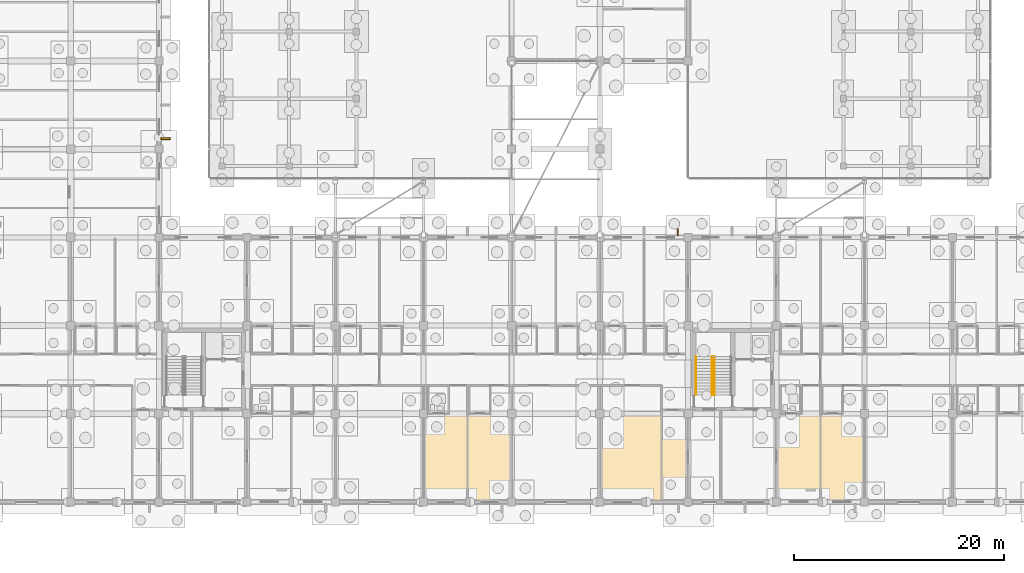
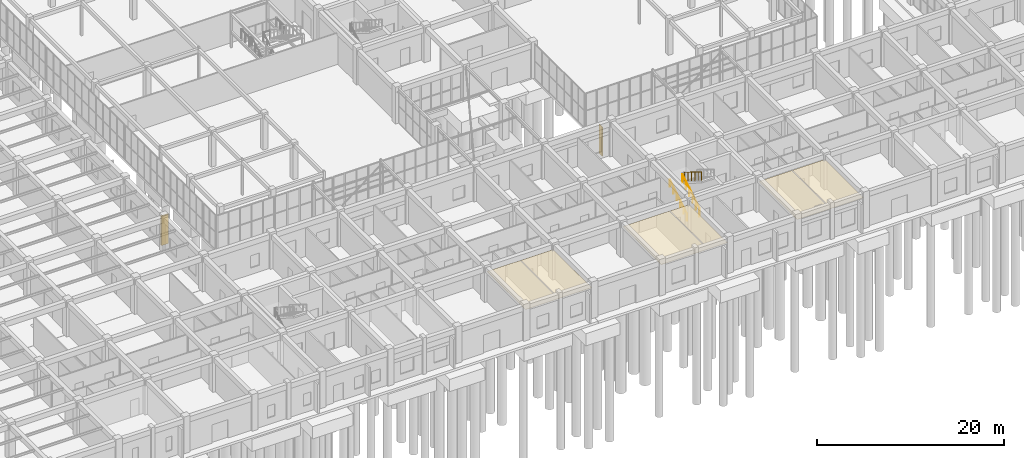
# One storey, part 180 of 192: 3 coverings, 3 railings, 2 shading devices.
"""IFC4 building model written with IfcOpenShell, lengths in metres."""

from ifc_helpers import new_model, si_unit, direction, frame, origin, origin_2d, place, context, subcontext, project, spatial, polyline, rectangle, circle, outline, extrude, material, layer, layer_set, type_object, element, save


model = new_model("IFC4")

# Units and contexts
model_context = context("Model", 3, precision=1e-05, world=origin(), true_north=direction((0.0, 1.0)))
body_context = subcontext(model_context, "Body", "Model", "MODEL_VIEW")
ifc_project = project(units=[si_unit("LENGTHUNIT", "METRE"), si_unit("AREAUNIT", "SQUARE_METRE"), si_unit("VOLUMEUNIT", "CUBIC_METRE"), si_unit("PLANEANGLEUNIT", "RADIAN"), si_unit("MASSUNIT", "GRAM", prefix="KILO")], contexts=[model_context])

# Site, building, storey
site_placement = place(None, origin())
site = spatial("IfcSite", under=ifc_project, at=site_placement, CompositionType="ELEMENT")
building_placement = place(site_placement, origin())
building = spatial("IfcBuilding", under=site, at=building_placement, Name="Trelvath General Hospital", CompositionType="ELEMENT")
storey_placement = place(building_placement, origin())
storey = spatial("IfcBuildingStorey", under=building, at=storey_placement, Name="L00", CompositionType="ELEMENT", Elevation=0.0)

# Shading device
ifc_material_1 = material(Name="Precast concrete C40/50", Category="concrete")
shading_device_type_1 = type_object("IfcShadingDeviceType", Name="BriseSoleil PrecastFin900", PredefinedType="JALOUSIE", material=ifc_material_1)
shading_device_1_placement = place(storey_placement, frame((42.60498046875, 34.5869140625, 0.0), z_axis=(0.0, 0.0, 1.0), x_axis=(1.0, 0.0, 0.0)))
element("IfcShadingDevice", 1, at=shading_device_1_placement, inside=storey, type_object=shading_device_type_1, Name="Solar Brise-Soleil Screen L00-5", PredefinedType="JALOUSIE", context=body_context, shape_type="SweptSolid", body=[
    extrude(rectangle(XDim=0.89990234375, YDim=0.179931640625, at=origin_2d()), origin(), (0.0, 0.0, 1.0), 3.820068359375),
])

# Coverings
ifc_material_2 = material(Name="Hygienic acoustic ceiling tile")
ifc_layer = layer(ifc_material_2, 0.02490234375)
ifc_layer_set = layer_set([ifc_layer], Name="Hygienic acoustic ceiling tile")
covering_type = type_object("IfcCoveringType", Name="Ceiling ClinicalAcoustic", PredefinedType="CEILING", material=ifc_layer_set)
covering_1_placement = place(storey_placement, frame((0.0, 0.0, 3.679931640625)))
element("IfcCovering", 2, at=covering_1_placement, inside=storey, type_object=covering_type, Name="Clinical Acoustic Ceiling L00-4", PredefinedType="CEILING", context=body_context, shape_type="SweptSolid", body=[
    extrude(outline(polyline([(67.300048828125, 0.10009765625), (75.5, 0.10009765625), (75.5, 8.320068359375), (67.300048828125, 8.320068359375), (67.300048828125, 0.10009765625)])), origin(), (0.0, 0.0, 1.0), 0.025146484375),
])
covering_2_placement = place(storey_placement, frame((0.0, 0.0, 3.679931640625)))
element("IfcCovering", 3, at=covering_2_placement, inside=storey, type_object=covering_type, Name="Clinical Acoustic Ceiling L00-5", PredefinedType="CEILING", context=body_context, shape_type="SweptSolid", body=[
    extrude(outline(polyline([(84.10009765625, 0.10009765625), (92.300048828125, 0.10009765625), (92.300048828125, 8.320068359375), (84.10009765625, 8.320068359375), (84.10009765625, 0.10009765625)])), origin(), (0.0, 0.0, 1.0), 0.025146484375),
])
covering_3_placement = place(storey_placement, frame((0.0, 0.0, 3.679931640625)))
element("IfcCovering", 4, at=covering_3_placement, inside=storey, type_object=covering_type, Name="Clinical Acoustic Ceiling L00-6", PredefinedType="CEILING", context=body_context, shape_type="SweptSolid", body=[
    extrude(outline(polyline([(100.89990234375, 0.10009765625), (109.10009765625, 0.10009765625), (109.10009765625, 8.320068359375), (100.89990234375, 8.320068359375), (100.89990234375, 0.10009765625)])), origin(), (0.0, 0.0, 1.0), 0.025146484375),
])

# Railings
ifc_material_3 = material(Name="Architectural painted steel", Category="steel")
railing_type_1 = type_object("IfcRailingType", Name="Guardrail Terrace1150", PredefinedType="GUARDRAIL", material=ifc_material_3)
railing_1_placement = place(storey_placement, frame((94.929931640625, 13.840087890625, 2.5712890625)))
element("IfcRailing", 5, at=railing_1_placement, inside=storey, type_object=railing_type_1, Name="Stair Rail ST5 L00 F2 L 158", PredefinedType="GUARDRAIL", context=body_context, shape_type="SweptSolid", body=[
    extrude(circle(Radius=0.02392578125, at=origin_2d()), frame((0.0, 0.0, 1.076171875), z_axis=(0.0, -0.852840387347, 0.522171689878), x_axis=(1.0, 0.0, 0.0)), (0.0, 0.0, 1.0), 4.268310546875),
    extrude(circle(Radius=0.02099609375, at=origin_2d()), origin(), (0.0, 0.0, 1.0), 1.050048828125),
    extrude(circle(Radius=0.02099609375, at=origin_2d()), frame((0.0, -0.72802734375, 0.44580078125)), (0.0, 0.0, 1.0), 1.050048828125),
    extrude(circle(Radius=0.02099609375, at=origin_2d()), frame((0.0, -1.4560546875, 0.8916015625)), (0.0, 0.0, 1.0), 1.050048828125),
    extrude(circle(Radius=0.02099609375, at=origin_2d()), frame((0.0, -2.18408203125, 1.337158203125)), (0.0, 0.0, 1.0), 1.050048828125),
    extrude(circle(Radius=0.02099609375, at=origin_2d()), frame((0.0, -2.912109375, 1.782958984375)), (0.0, 0.0, 1.0), 1.050048828125),
    extrude(circle(Radius=0.02099609375, at=origin_2d()), frame((0.0, -3.64013671875, 2.228759765625)), (0.0, 0.0, 1.0), 1.050048828125),
])
railing_2_placement = place(storey_placement, frame((94.669921875, 10.199951171875, 0.17138671875)))
element("IfcRailing", 6, at=railing_2_placement, inside=storey, type_object=railing_type_1, Name="Stair Rail ST5 L00 F1 R 159", PredefinedType="GUARDRAIL", context=body_context, shape_type="SweptSolid", body=[
    extrude(circle(Radius=0.02392578125, at=origin_2d()), frame((0.0, 0.0, 1.076171875), z_axis=(0.0, 0.852865859571, 0.52213008492), x_axis=(-1.0, 0.0, 0.0)), (0.0, 0.0, 1.0), 4.26806640625),
    extrude(circle(Radius=0.02099609375, at=origin_2d()), origin(), (0.0, 0.0, 1.0), 1.050048828125),
    extrude(circle(Radius=0.02099609375, at=origin_2d()), frame((0.0, 0.72802734375, 0.44580078125)), (0.0, 0.0, 1.0), 1.050048828125),
    extrude(circle(Radius=0.02099609375, at=origin_2d()), frame((0.0, 1.4560546875, 0.891357421875)), (0.0, 0.0, 1.0), 1.050048828125),
    extrude(circle(Radius=0.02099609375, at=origin_2d()), frame((0.0, 2.18408203125, 1.337158203125)), (0.0, 0.0, 1.0), 1.050048828125),
    extrude(circle(Radius=0.02099609375, at=origin_2d()), frame((0.0, 2.912109375, 1.78271484375)), (0.0, 0.0, 1.0), 1.050048828125),
    extrude(circle(Radius=0.02099609375, at=origin_2d()), frame((0.0, 3.64013671875, 2.228515625)), (0.0, 0.0, 1.0), 1.050048828125),
])
ifc_material_4 = material(Name="Brushed stainless steel", Category="steel")
railing_type_2 = type_object("IfcRailingType", Name="Handrail Stair900", PredefinedType="HANDRAIL", material=ifc_material_4)
railing_3_placement = place(storey_placement, frame((93.1298828125, 10.199951171875, 0.17138671875)))
element("IfcRailing", 7, at=railing_3_placement, inside=storey, type_object=railing_type_2, Name="Stair Rail ST5 L00 F1 L 157", PredefinedType="HANDRAIL", context=body_context, shape_type="SweptSolid", body=[
    extrude(circle(Radius=0.02392578125, at=origin_2d()), frame((0.0, 0.0, 0.8759765625), z_axis=(0.0, 0.852865859571, 0.52213008492), x_axis=(-1.0, 0.0, 0.0)), (0.0, 0.0, 1.0), 4.26806640625),
    extrude(circle(Radius=0.02099609375, at=origin_2d()), origin(), (0.0, 0.0, 1.0), 0.849853515625),
    extrude(circle(Radius=0.02099609375, at=origin_2d()), frame((0.0, 0.72802734375, 0.44580078125)), (0.0, 0.0, 1.0), 0.849853515625),
    extrude(circle(Radius=0.02099609375, at=origin_2d()), frame((0.0, 1.4560546875, 0.891357421875)), (0.0, 0.0, 1.0), 0.849853515625),
    extrude(circle(Radius=0.02099609375, at=origin_2d()), frame((0.0, 2.18408203125, 1.337158203125)), (0.0, 0.0, 1.0), 0.849853515625),
    extrude(circle(Radius=0.02099609375, at=origin_2d()), frame((0.0, 2.912109375, 1.78271484375)), (0.0, 0.0, 1.0), 0.849853515625),
    extrude(circle(Radius=0.02099609375, at=origin_2d()), frame((0.0, 3.64013671875, 2.228515625)), (0.0, 0.0, 1.0), 0.849853515625),
])

# Shading device
ifc_material_5 = material(Name="Anodised aluminium", Category="aluminium")
shading_device_type_2 = type_object("IfcShadingDeviceType", Name="SolarScreen PerforatedAlu", PredefinedType="JALOUSIE", material=ifc_material_5)
shading_device_2_placement = place(storey_placement, frame((91.4130859375, 25.679931640625, 0.0), z_axis=(0.0, 0.0, 1.0), x_axis=(0.0, 1.0, 0.0)))
element("IfcShadingDevice", 8, at=shading_device_2_placement, inside=storey, type_object=shading_device_type_2, Name="Solar Brise-Soleil Screen L00-10", PredefinedType="JALOUSIE", context=body_context, shape_type="SweptSolid", body=[
    extrude(rectangle(XDim=0.64990234375, YDim=0.080078125, at=origin_2d()), origin(), (0.0, 0.0, 1.0), 3.820068359375),
])

save(model, "model.ifc")
